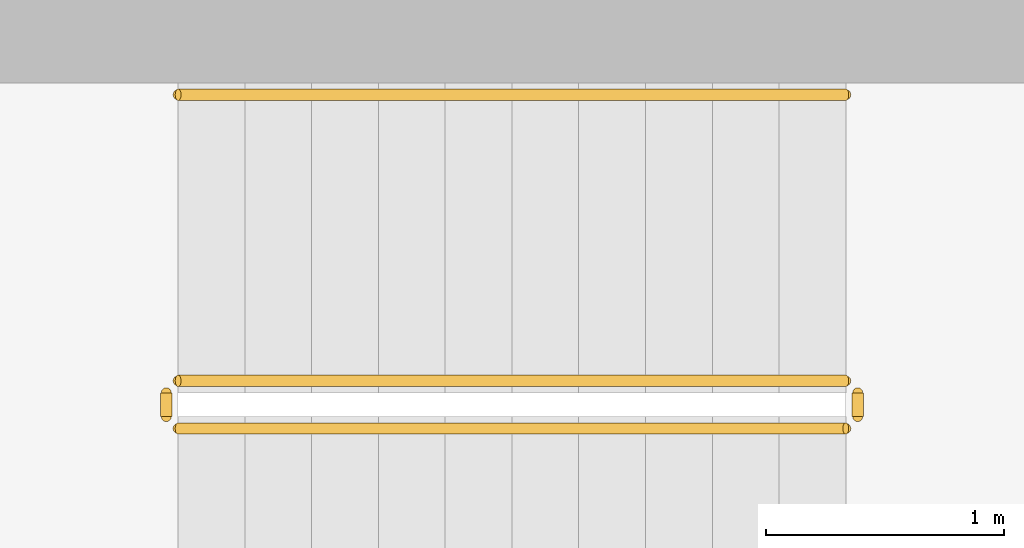
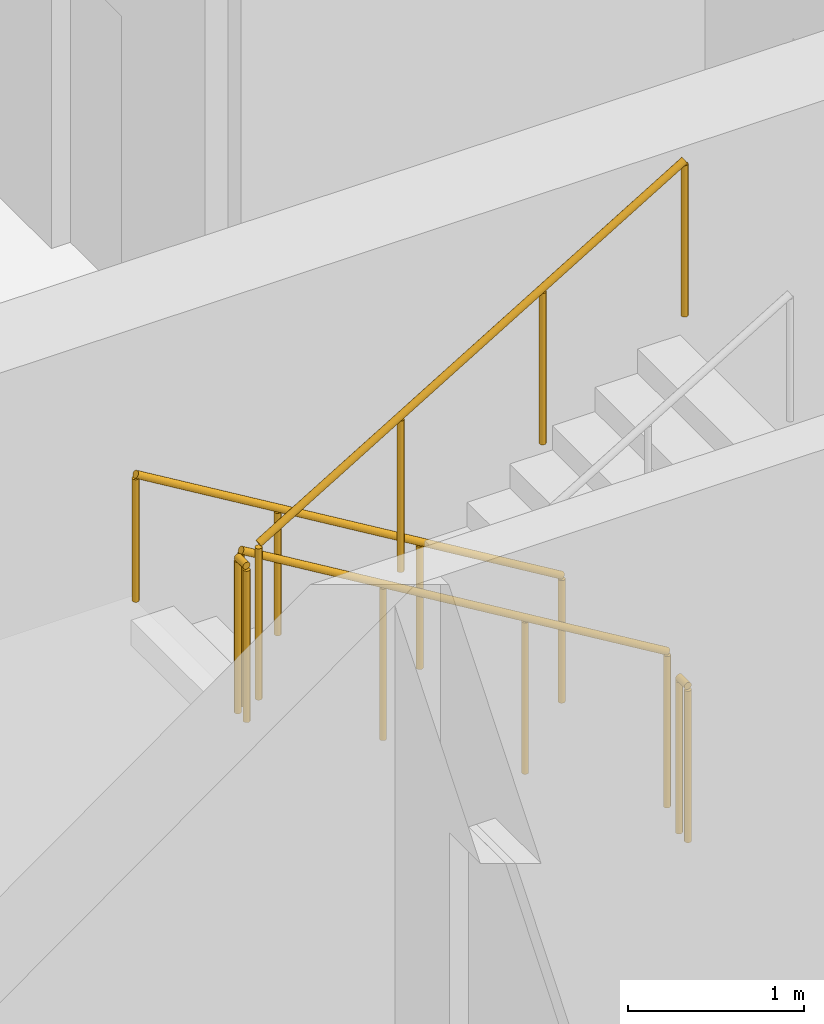
# One storey, part 19 of 27: 5 railings.
"""IFC4 building model written with IfcOpenShell, lengths in metres."""

from ifc_helpers import new_model, si_unit, direction, frame, origin, origin_2d, place, context, subcontext, project, spatial, circle, extrude, material, type_object, element, save


model = new_model("IFC4")

# Units and contexts
model_context = context("Model", 3, precision=1e-05, world=origin(), true_north=direction((0.0, 1.0)))
body_context = subcontext(model_context, "Body", "Model", "MODEL_VIEW")
ifc_project = project(units=[si_unit("LENGTHUNIT", "METRE"), si_unit("AREAUNIT", "SQUARE_METRE"), si_unit("VOLUMEUNIT", "CUBIC_METRE"), si_unit("PLANEANGLEUNIT", "RADIAN"), si_unit("MASSUNIT", "GRAM", prefix="KILO")], contexts=[model_context])

# Site, building, storey
site_placement = place(None, origin())
site = spatial("IfcSite", under=ifc_project, at=site_placement, CompositionType="ELEMENT")
building_placement = place(site_placement, origin())
building = spatial("IfcBuilding", under=site, at=building_placement, Name="Ogive Portal Towers", CompositionType="ELEMENT")
storey_placement = place(building_placement, frame((0.0, 0.0, 160.699951171875)))
storey = spatial("IfcBuildingStorey", under=building, at=storey_placement, Name="L39", CompositionType="ELEMENT", Elevation=160.699951171875)

# Railings
ifc_material_1 = material(Name="Stainless steel balustrade", Category="steel")
railing_type_1 = type_object("IfcRailingType", Name="INT-GUARD", PredefinedType="GUARDRAIL", material=ifc_material_1)
railing_1_placement = place(storey_placement, frame((37.449951171875, 37.800048828125, 0.168212890625)))
element("IfcRailing", 1, at=railing_1_placement, inside=storey, type_object=railing_type_1, Name="L39 ST-A1 stair guard 1", PredefinedType="GUARDRAIL", context=body_context, shape_type="SweptSolid", body=[
    extrude(circle(Radius=0.02392578125, at=origin_2d()), frame((0.0, 0.0, 1.076171875), z_axis=(-0.857242210791, 0.0, 0.514913383045), x_axis=(0.0, -1.0, 0.0)), (0.0, 0.0, 1.0), 3.266357421875),
    extrude(circle(Radius=0.02099609375, at=origin_2d()), origin(), (0.0, 0.0, 1.0), 1.052001953125),
    extrude(circle(Radius=0.02099609375, at=origin_2d()), frame((-0.933349609375, 0.0, 0.560546875)), (0.0, 0.0, 1.0), 1.052001953125),
    extrude(circle(Radius=0.02099609375, at=origin_2d()), frame((-1.86669921875, 0.0, 1.121337890625)), (0.0, 0.0, 1.0), 1.052001953125),
    extrude(circle(Radius=0.02099609375, at=origin_2d()), frame((-2.800048828125, 0.0, 1.681884765625)), (0.0, 0.0, 1.0), 1.052001953125),
])
railing_2_placement = place(storey_placement, frame((34.60009765625, 37.75, 1.85009765625)))
element("IfcRailing", 2, at=railing_2_placement, inside=storey, type_object=railing_type_1, Name="L39 ST-A1 stair guard 2", PredefinedType="GUARDRAIL", context=body_context, shape_type="SweptSolid", body=[
    extrude(circle(Radius=0.02392578125, at=origin_2d()), frame((0.0, 0.0, 1.076171875), z_axis=(0.0, -1.0, 0.0), x_axis=(1.0, 0.0, 0.0)), (0.0, 0.0, 1.0), 0.10009765625),
    extrude(circle(Radius=0.02099609375, at=origin_2d()), origin(), (0.0, 0.0, 1.0), 1.052001953125),
    extrude(circle(Radius=0.02099609375, at=origin_2d()), frame((0.0, -0.10009765625, 0.0)), (0.0, 0.0, 1.0), 1.052001953125),
])
railing_3_placement = place(storey_placement, frame((34.64990234375, 37.60009765625, 2.018310546875)))
element("IfcRailing", 3, at=railing_3_placement, inside=storey, type_object=railing_type_1, Name="L39 ST-A1 stair guard 3", PredefinedType="GUARDRAIL", context=body_context, shape_type="SweptSolid", body=[
    extrude(circle(Radius=0.02392578125, at=origin_2d()), frame((0.0, 0.0, 1.076171875), z_axis=(0.857275202839, 0.0, 0.514858452973), x_axis=(0.0, 1.0, 0.0)), (0.0, 0.0, 1.0), 3.26611328125),
    extrude(circle(Radius=0.02099609375, at=origin_2d()), origin(), (0.0, 0.0, 1.0), 1.052001953125),
    extrude(circle(Radius=0.02099609375, at=origin_2d()), frame((0.933349609375, 0.0, 0.560546875)), (0.0, 0.0, 1.0), 1.052001953125),
    extrude(circle(Radius=0.02099609375, at=origin_2d()), frame((1.86669921875, 0.0, 1.12109375)), (0.0, 0.0, 1.0), 1.052001953125),
    extrude(circle(Radius=0.02099609375, at=origin_2d()), frame((2.800048828125, 0.0, 1.681640625)), (0.0, 0.0, 1.0), 1.052001953125),
])
railing_4_placement = place(storey_placement, frame((37.5, 37.75, 0.0)))
element("IfcRailing", 4, at=railing_4_placement, inside=storey, type_object=railing_type_1, Name="L39 ST-A1 stair guard 4", PredefinedType="GUARDRAIL", context=body_context, shape_type="SweptSolid", body=[
    extrude(circle(Radius=0.02392578125, at=origin_2d()), frame((0.0, 0.0, 1.076171875), z_axis=(0.0, -1.0, 0.0), x_axis=(1.0, 0.0, 0.0)), (0.0, 0.0, 1.0), 0.10009765625),
    extrude(circle(Radius=0.02099609375, at=origin_2d()), origin(), (0.0, 0.0, 1.0), 1.052001953125),
    extrude(circle(Radius=0.02099609375, at=origin_2d()), frame((0.0, -0.10009765625, 0.0)), (0.0, 0.0, 1.0), 1.052001953125),
])
ifc_material_2 = material(Name="Stainless steel handrail", Category="steel")
railing_type_2 = type_object("IfcRailingType", Name="INT-HANDRAIL", PredefinedType="HANDRAIL", material=ifc_material_2)
railing_5_placement = place(storey_placement, frame((37.449951171875, 39.0, 0.168212890625)))
element("IfcRailing", 5, at=railing_5_placement, inside=storey, type_object=railing_type_2, Name="L39 ST-A1 stair handrail 1", PredefinedType="HANDRAIL", context=body_context, shape_type="SweptSolid", body=[
    extrude(circle(Radius=0.02392578125, at=origin_2d()), frame((0.0, 0.0, 0.8759765625), z_axis=(-0.857242210791, 0.0, 0.514913383045), x_axis=(0.0, -1.0, 0.0)), (0.0, 0.0, 1.0), 3.266357421875),
    extrude(circle(Radius=0.02099609375, at=origin_2d()), origin(), (0.0, 0.0, 1.0), 0.851806640625),
    extrude(circle(Radius=0.02099609375, at=origin_2d()), frame((-0.933349609375, 0.0, 0.560546875)), (0.0, 0.0, 1.0), 0.851806640625),
    extrude(circle(Radius=0.02099609375, at=origin_2d()), frame((-1.86669921875, 0.0, 1.121337890625)), (0.0, 0.0, 1.0), 0.851806640625),
    extrude(circle(Radius=0.02099609375, at=origin_2d()), frame((-2.800048828125, 0.0, 1.681884765625)), (0.0, 0.0, 1.0), 0.851806640625),
])

save(model, "model.ifc")
